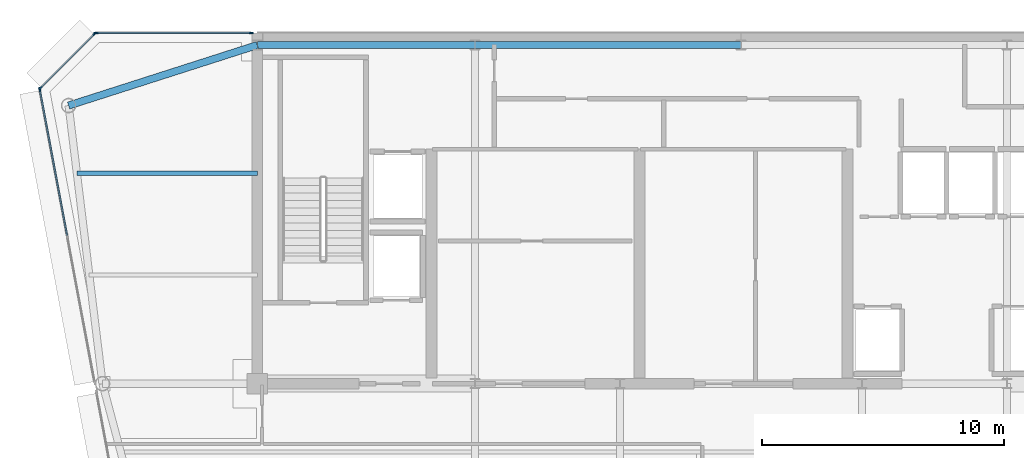
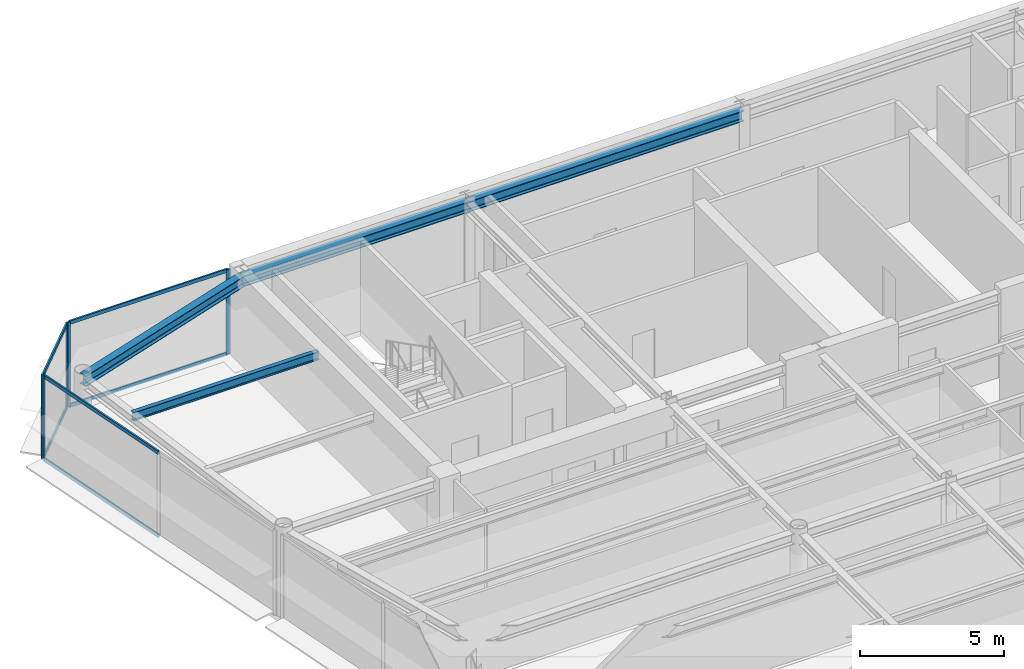
# One storey, part 8 of 20: 11 members, 4 beams, 3 elements without a shape of their own.
"""IFC4 building model written with IfcOpenShell, lengths in metres."""

from ifc_helpers import new_model, si_unit, direction, frame, origin, origin_2d, place, context, subcontext, project, spatial, rectangle, i_section, extrude, source, transform, mapped, material, layer, layer_set, material_profile, profile_set, type_object, element, aggregate, save


model = new_model("IFC4")

# Units and contexts
model_context = context("Model", 3, precision=1e-05, world=origin(), true_north=direction((0.0, 1.0)))
body_context = subcontext(model_context, "Body", "Model", "MODEL_VIEW")
ifc_project = project(units=[si_unit("LENGTHUNIT", "METRE"), si_unit("AREAUNIT", "SQUARE_METRE"), si_unit("VOLUMEUNIT", "CUBIC_METRE"), si_unit("PLANEANGLEUNIT", "RADIAN"), si_unit("MASSUNIT", "GRAM", prefix="KILO")], contexts=[model_context])

# Site, building, storey
site_placement = place(None, origin())
site = spatial("IfcSite", under=ifc_project, at=site_placement, CompositionType="ELEMENT")
building_placement = place(site_placement, origin())
building = spatial("IfcBuilding", under=site, at=building_placement, Name="Vaeldorn Concourse Tower", CompositionType="ELEMENT")
storey_placement = place(building_placement, frame((0.0, 0.0, 291.60009765625)))
storey = spatial("IfcBuildingStorey", under=building, at=storey_placement, Name="L75", CompositionType="ELEMENT", Elevation=291.60009765625)

# Beams
ifc_material_1 = material(Name="Steel S355", Category="steel")
ifc_material_profile_1 = material_profile(ifc_material_1, i_section(OverallWidth=0.300048828125, OverallDepth=0.449951171875, WebThickness=0.013916015625, FlangeThickness=0.02587890625, FilletRadius=0.027099609375, at=origin_2d()), Name="HEB 450")
ifc_profile_set_1 = profile_set([ifc_material_profile_1], Name="Steel S355")
beam_type_1 = type_object("IfcBeamType", Name="BM-PG-HEB450", PredefinedType="BEAM", material=ifc_profile_set_1)
shared_shape_1 = source(origin(), body_context, "Body", "SweptSolid", [
    extrude(i_section(OverallWidth=0.300048828125, OverallDepth=0.449951171875, WebThickness=0.013916015625, FlangeThickness=0.02587890625, FilletRadius=0.027099609375, at=origin_2d()), origin(), (0.0, 0.0, 1.0), 11.0),
])
beam_1_placement = place(storey_placement, frame((23.0, 50.5, 3.35498046875), z_axis=(1.0, 0.0, 0.0), x_axis=(0.0, 1.0, 0.0)))
element("IfcBeam", 1, at=beam_1_placement, inside=storey, type_object=beam_type_1, Name="Beam BM-L75-C-HC2-C-HC3", PredefinedType="BEAM", context=body_context, shape_type="MappedRepresentation", body=[
    mapped(shared_shape_1, transform((0.0, 0.0, 0.0), scale=1.0)),
])
ifc_material_profile_2 = material_profile(ifc_material_1, i_section(OverallWidth=0.169921875, OverallDepth=0.360107421875, WebThickness=0.008056640625, FlangeThickness=0.0126953125, FilletRadius=0.01806640625, at=origin_2d()), Name="IPE 360")
ifc_profile_set_2 = profile_set([ifc_material_profile_2], Name="Steel S355")
beam_type_2 = type_object("IfcBeamType", Name="BM-JS-IPE360", PredefinedType="JOIST", material=ifc_profile_set_2)
shared_shape_2 = source(origin(), body_context, "Body", "SweptSolid", [
    extrude(i_section(OverallWidth=0.169921875, OverallDepth=0.360107421875, WebThickness=0.008056640625, FlangeThickness=0.0126953125, FilletRadius=0.01806640625, at=origin_2d()), origin(), (0.0, 0.0, 1.0), 7.458984375),
])
beam_2_placement = place(storey_placement, frame((6.541015625, 45.199951171875, 3.39990234375), z_axis=(1.0, 0.0, 0.0), x_axis=(0.0, 1.0, 0.0)))
element("IfcBeam", 2, at=beam_2_placement, inside=storey, type_object=beam_type_2, Name="Beam JS-L75-NW-452", PredefinedType="JOIST", context=body_context, shape_type="MappedRepresentation", body=[
    mapped(shared_shape_2, transform((0.0, 0.0, 0.0), scale=1.0)),
])
shared_shape_3 = source(origin(), body_context, "Body", "SweptSolid", [
    extrude(i_section(OverallWidth=0.300048828125, OverallDepth=0.449951171875, WebThickness=0.013916015625, FlangeThickness=0.02587890625, FilletRadius=0.027099609375, at=origin_2d()), origin(), (0.0, 0.0, 1.0), 9.0),
])
beam_3_placement = place(storey_placement, frame((14.0, 50.5, 3.35498046875), z_axis=(1.0, 0.0, 0.0), x_axis=(0.0, 1.0, 0.0)))
element("IfcBeam", 3, at=beam_3_placement, inside=storey, type_object=beam_type_1, Name="Beam BM-L75-C-HC1-C-HC2", PredefinedType="BEAM", context=body_context, shape_type="MappedRepresentation", body=[
    mapped(shared_shape_3, transform((0.0, 0.0, 0.0), scale=1.0)),
])
shared_shape_4 = source(origin(), body_context, "Body", "SweptSolid", [
    extrude(i_section(OverallWidth=0.300048828125, OverallDepth=0.449951171875, WebThickness=0.013916015625, FlangeThickness=0.02587890625, FilletRadius=0.027099609375, at=origin_2d()), origin(), (0.0, 0.0, 1.0), 8.19091796875),
])
beam_4_placement = place(storey_placement, frame((6.199951171875, 48.0, 3.35498046875), z_axis=(0.952282843383, 0.305216949396, 0.0), x_axis=(-0.305216949396, 0.952282843383, 0.0)))
element("IfcBeam", 4, at=beam_4_placement, inside=storey, type_object=beam_type_1, Name="Beam BM-L75-C-NW1-C-HC1", PredefinedType="BEAM", context=body_context, shape_type="MappedRepresentation", body=[
    mapped(shared_shape_4, transform((0.0, 0.0, 0.0), scale=1.0)),
])

# Curtain wall, members
ifc_material_2 = material(Name="Anodised Bronze Aluminium", Category="aluminium")
ifc_layer = layer(ifc_material_2, 0.179931640625)
ifc_layer_set = layer_set([ifc_layer], Name="Anodised Bronze Aluminium")
curtain_wall_type = type_object("IfcCurtainWallType", Name="CW-SYS-05", PredefinedType="NOTDEFINED", material=ifc_layer_set)
curtain_wall_1_placement = place(storey_placement, origin())
curtain_wall_1 = element("IfcCurtainWall", 5, at=curtain_wall_1_placement, inside=storey, type_object=curtain_wall_type, Name="Unitised Curtain Wall CW-L75-E09-2", PredefinedType="NOTDEFINED")
ifc_material_profile_3 = material_profile(ifc_material_2, rectangle(XDim=0.06494140625, YDim=0.169921875, at=origin_2d()), Name="CWM 65x170")
ifc_profile_set_3 = profile_set([ifc_material_profile_3], Name="Anodised Bronze Aluminium")
member_type_1 = type_object("IfcMemberType", Name="CWM-BRONZE-170", PredefinedType="MULLION", material=ifc_profile_set_3)
shared_shape_5 = source(origin(), body_context, "Body", "SweptSolid", [
    extrude(rectangle(XDim=0.06494140625, YDim=0.169921875, at=origin_2d()), origin(), (0.0, 0.0, 1.0), 3.579833984375),
])
member_1_placement = place(storey_placement, frame((13.74755859375, 51.0, 0.0), z_axis=(0.0, 0.0, 1.0), x_axis=(0.0, -1.0, 0.0)))
member_1 = element("IfcMember", 6, at=member_1_placement, type_object=member_type_1, Name="CW-05 mullion 1", PredefinedType="MULLION", context=body_context, shape_type="MappedRepresentation", body=[
    mapped(shared_shape_5, transform((0.0, 0.0, 0.0), scale=1.0)),
])
member_2_placement = place(storey_placement, frame((7.33251953125, 51.0, 0.0), z_axis=(0.0, 0.0, 1.0), x_axis=(0.0, -1.0, 0.0)))
member_2 = element("IfcMember", 7, at=member_2_placement, type_object=member_type_1, Name="CW-05 mullion 2", PredefinedType="MULLION", context=body_context, shape_type="MappedRepresentation", body=[
    mapped(shared_shape_5, transform((0.0, 0.0, 0.0), scale=1.0)),
])

curtain_wall_2_placement = place(storey_placement, origin())
curtain_wall_2 = element("IfcCurtainWall", 8, at=curtain_wall_2_placement, inside=storey, type_object=curtain_wall_type, Name="Unitised Curtain Wall CW-L75-E10-1", PredefinedType="NOTDEFINED")
member_3_placement = place(storey_placement, frame((7.277099609375, 50.97705078125, 0.0), z_axis=(0.0, 0.0, 1.0), x_axis=(0.707106781187, -0.707106781187, 0.0)))
member_3 = element("IfcMember", 9, at=member_3_placement, type_object=member_type_1, Name="CW-05 mullion 1", PredefinedType="MULLION", context=body_context, shape_type="MappedRepresentation", body=[
    mapped(shared_shape_5, transform((0.0, 0.0, 0.0), scale=1.0)),
])
member_4_placement = place(storey_placement, frame((5.02294921875, 48.722900390625, 0.0), z_axis=(0.0, 0.0, 1.0), x_axis=(0.707106781187, -0.707106781187, 0.0)))
member_4 = element("IfcMember", 10, at=member_4_placement, type_object=member_type_1, Name="CW-05 mullion 2", PredefinedType="MULLION", context=body_context, shape_type="MappedRepresentation", body=[
    mapped(shared_shape_5, transform((0.0, 0.0, 0.0), scale=1.0)),
])

# Curtain wall, member
curtain_wall_3_placement = place(storey_placement, origin())
curtain_wall_3 = element("IfcCurtainWall", 11, at=curtain_wall_3_placement, inside=storey, type_object=curtain_wall_type, Name="Unitised Curtain Wall CW-L75-E11-1", PredefinedType="NOTDEFINED")
member_5_placement = place(storey_placement, frame((5.006103515625, 48.66796875, 0.0), z_axis=(0.0, 0.0, 1.0), x_axis=(0.982880218842, 0.184245693053, 0.0)))
member_5 = element("IfcMember", 12, at=member_5_placement, type_object=member_type_1, Name="CW-05 mullion 1", PredefinedType="MULLION", context=body_context, shape_type="MappedRepresentation", body=[
    mapped(shared_shape_5, transform((0.0, 0.0, 0.0), scale=1.0)),
])

# Member
ifc_material_profile_4 = material_profile(ifc_material_2, rectangle(XDim=0.06494140625, YDim=0.14990234375, at=origin_2d()), Name="CWT 65x150")
ifc_profile_set_4 = profile_set([ifc_material_profile_4], Name="Anodised Bronze Aluminium")
member_type_2 = type_object("IfcMemberType", Name="CWT-BRONZE-150", PredefinedType="USERDEFINED", material=ifc_profile_set_4)
shared_shape_6 = source(origin(), body_context, "Body", "SweptSolid", [
    extrude(rectangle(XDim=0.06494140625, YDim=0.14990234375, at=origin_2d()), origin(), (0.0, 0.0, 1.0), 3.123046875),
])
member_6_placement = place(storey_placement, frame((7.254150390625, 50.9541015625, 0.032470703125), z_axis=(-0.707106781187, -0.707106781187, 0.0), x_axis=(0.707106781187, -0.707106781187, 0.0)))
member_6 = element("IfcMember", 13, at=member_6_placement, type_object=member_type_2, Name="CW-05 transom 1.1", ObjectType="TRANSOM", PredefinedType="USERDEFINED", context=body_context, shape_type="MappedRepresentation", body=[
    mapped(shared_shape_6, transform((0.0, 0.0, 0.0), scale=1.0)),
])

member_7_placement = place(storey_placement, frame((7.254150390625, 50.9541015625, 3.54736328125), z_axis=(-0.707106781187, -0.707106781187, 0.0), x_axis=(0.707106781187, -0.707106781187, 0.0)))
member_7 = element("IfcMember", 14, at=member_7_placement, type_object=member_type_2, Name="CW-05 transom 1.2", ObjectType="TRANSOM", PredefinedType="USERDEFINED", context=body_context, shape_type="MappedRepresentation", body=[
    mapped(shared_shape_6, transform((0.0, 0.0, 0.0), scale=1.0)),
])

aggregate(curtain_wall_2, [member_3, member_4, member_6, member_7])

shared_shape_7 = source(origin(), body_context, "Body", "SweptSolid", [
    extrude(rectangle(XDim=0.06494140625, YDim=0.14990234375, at=origin_2d()), origin(), (0.0, 0.0, 1.0), 6.35009765625),
])
member_8_placement = place(storey_placement, frame((13.715087890625, 51.0, 0.032470703125), z_axis=(-1.0, 0.0, 0.0), x_axis=(0.0, -1.0, 0.0)))
member_8 = element("IfcMember", 15, at=member_8_placement, type_object=member_type_2, Name="CW-05 transom 1.1", ObjectType="TRANSOM", PredefinedType="USERDEFINED", context=body_context, shape_type="MappedRepresentation", body=[
    mapped(shared_shape_7, transform((0.0, 0.0, 0.0), scale=1.0)),
])

member_9_placement = place(storey_placement, frame((13.715087890625, 51.0, 3.54736328125), z_axis=(-1.0, 0.0, 0.0), x_axis=(0.0, -1.0, 0.0)))
member_9 = element("IfcMember", 16, at=member_9_placement, type_object=member_type_2, Name="CW-05 transom 1.2", ObjectType="TRANSOM", PredefinedType="USERDEFINED", context=body_context, shape_type="MappedRepresentation", body=[
    mapped(shared_shape_7, transform((0.0, 0.0, 0.0), scale=1.0)),
])

aggregate(curtain_wall_1, [member_1, member_2, member_8, member_9])

shared_shape_8 = source(origin(), body_context, "Body", "SweptSolid", [
    extrude(rectangle(XDim=0.06494140625, YDim=0.14990234375, at=origin_2d()), origin(), (0.0, 0.0, 1.0), 6.103515625),
])
member_10_placement = place(storey_placement, frame((5.011962890625, 48.63623046875, 0.032470703125), z_axis=(0.18424023288, -0.982881242363, 0.0), x_axis=(0.982881242363, 0.18424023288, 0.0)))
member_10 = element("IfcMember", 17, at=member_10_placement, type_object=member_type_2, Name="CW-05 transom 1.1", ObjectType="TRANSOM", PredefinedType="USERDEFINED", context=body_context, shape_type="MappedRepresentation", body=[
    mapped(shared_shape_8, transform((0.0, 0.0, 0.0), scale=1.0)),
])

member_11_placement = place(storey_placement, frame((5.011962890625, 48.63623046875, 3.54736328125), z_axis=(0.18424023288, -0.982881242363, 0.0), x_axis=(0.982881242363, 0.18424023288, 0.0)))
member_11 = element("IfcMember", 18, at=member_11_placement, type_object=member_type_2, Name="CW-05 transom 1.2", ObjectType="TRANSOM", PredefinedType="USERDEFINED", context=body_context, shape_type="MappedRepresentation", body=[
    mapped(shared_shape_8, transform((0.0, 0.0, 0.0), scale=1.0)),
])

aggregate(curtain_wall_3, [member_5, member_10, member_11])

save(model, "model.ifc")
